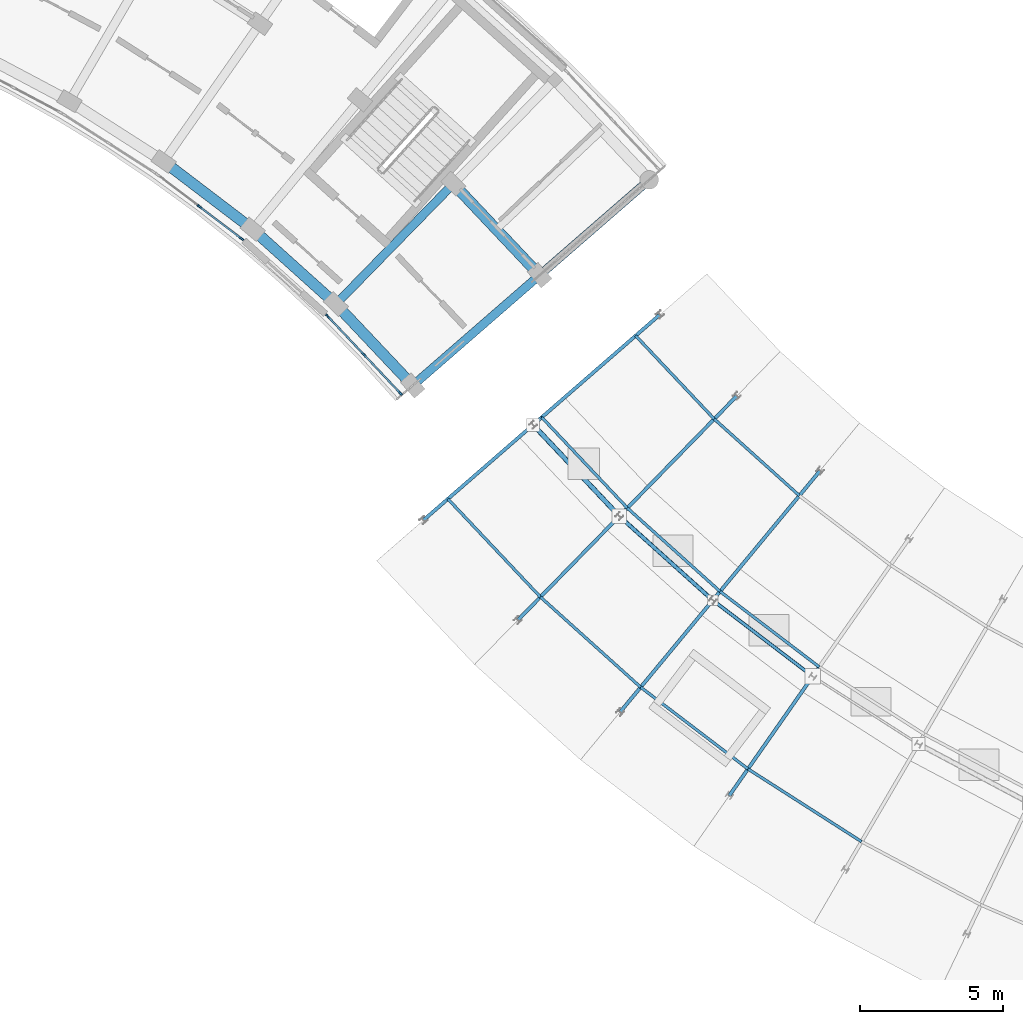
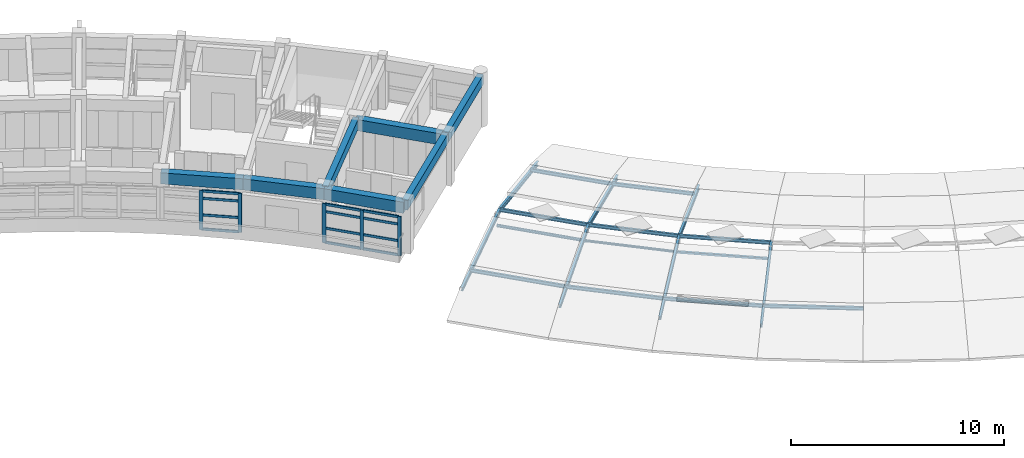
# One storey, part 15 of 40: 23 beams, 20 members, 2 elements without a shape of their own.
"""IFC4 building model written with IfcOpenShell, lengths in metres."""

from ifc_helpers import new_model, si_unit, direction, frame, origin, origin_2d, place, context, subcontext, project, spatial, rectangle, hollow_rectangle, hollow_circle, i_section, extrude, material, material_profile, profile_set, type_object, element, aggregate, save


model = new_model("IFC4")

# Units and contexts
model_context = context("Model", 3, precision=1e-05, world=origin(), true_north=direction((0.0, 1.0)))
body_context = subcontext(model_context, "Body", "Model", "MODEL_VIEW")
ifc_project = project(units=[si_unit("LENGTHUNIT", "METRE"), si_unit("AREAUNIT", "SQUARE_METRE"), si_unit("VOLUMEUNIT", "CUBIC_METRE"), si_unit("PLANEANGLEUNIT", "RADIAN"), si_unit("MASSUNIT", "GRAM", prefix="KILO")], contexts=[model_context])

# Site, building, storey
site_placement = place(None, origin())
site = spatial("IfcSite", under=ifc_project, at=site_placement, CompositionType="ELEMENT")
building_placement = place(site_placement, origin())
building = spatial("IfcBuilding", under=site, at=building_placement, Name="Zimvara Arc Housing Community", CompositionType="ELEMENT")
storey_placement = place(building_placement, frame((0.0, 0.0, 32.89990234375)))
storey = spatial("IfcBuildingStorey", under=building, at=storey_placement, Name="L10", CompositionType="ELEMENT", Elevation=32.89990234375)

# Beams
ifc_material_1 = material(Name="Concrete C40/50", Category="concrete")
ifc_material_profile_1 = material_profile(ifc_material_1, rectangle(XDim=0.300048828125, YDim=0.550048828125, at=origin_2d()), Name="RC 300x550")
ifc_profile_set_1 = profile_set([ifc_material_profile_1], Name="Concrete C40/50")
beam_type_1 = type_object("IfcBeamType", Name="BM-RC-300x550", PredefinedType="BEAM", material=ifc_profile_set_1)
for number, where, z_axis, x_axis, name in (
    (1, (78.47998046875, 78.784423828125, 2.585205078125), (0.698669844288, 0.715444231707, 0.0), (-0.715444231707, 0.698669844288, 0.0), "bm:blkB:L10:rad:b9:r12"),
    (2, (81.165771484375, 75.938232421875, 2.585205078125), (0.754692223258, 0.656078995362, 0.0), (-0.656078995362, 0.754692223258, 0.0), "bm:blkB:L10:rad:b10:r12"),
):
    element("IfcBeam", number, at=place(storey_placement, frame(where, z_axis=z_axis, x_axis=x_axis)), inside=storey, type_object=beam_type_1, Name=name, PredefinedType="BEAM", context=body_context, shape_type="SweptSolid", body=[
        extrude(rectangle(XDim=0.300048828125, YDim=0.550048828125, at=origin_2d()), origin(), (0.0, 0.0, 1.0), 5.8798828125),
    ])
beam_1_placement = place(storey_placement, frame((85.603271484375, 79.7958984375, 2.585205078125), z_axis=(0.754716217499, 0.656051393599, 0.0), x_axis=(-0.656051393599, 0.754716217499, 0.0)))
element("IfcBeam", 3, at=beam_1_placement, inside=storey, type_object=beam_type_1, Name="bm:blkB:L10:rad:b10:r23", PredefinedType="BEAM", context=body_context, shape_type="SweptSolid", body=[
    extrude(rectangle(XDim=0.300048828125, YDim=0.550048828125, at=origin_2d()), origin(), (0.0, 0.0, 1.0), 5.080078125),
])
ifc_material_2 = material(Name="Concrete C40/50", Category="concrete")
ifc_material_profile_2 = material_profile(ifc_material_2, rectangle(XDim=0.3798828125, YDim=0.639892578125, at=origin_2d()), Name="RC 380x640")
ifc_profile_set_2 = profile_set([ifc_material_profile_2], Name="Concrete C40/50")
beam_type_2 = type_object("IfcBeamType", Name="BM-RC-380x640", PredefinedType="BEAM", material=ifc_profile_set_2)
for number, where, z_axis, x_axis, name in (
    (4, (72.458251953125, 83.77294921875, 2.5400390625), (0.795470387579, -0.605992460749, 0.0), (0.605992460749, 0.795470387579, 0.0), "bm:blkB:L10:chord:r1:b7"),
    (5, (75.571044921875, 81.401611328125, 2.5400390625), (0.743402719516, -0.668844074965, 0.0), (0.668844074965, 0.743402719516, 0.0), "bm:blkB:L10:chord:r1:b8"),
):
    element("IfcBeam", number, at=place(storey_placement, frame(where, z_axis=z_axis, x_axis=x_axis)), inside=storey, type_object=beam_type_2, Name=name, PredefinedType="BEAM", context=body_context, shape_type="SweptSolid", body=[
        extrude(rectangle(XDim=0.3798828125, YDim=0.639892578125, at=origin_2d()), origin(), (0.0, 0.0, 1.0), 3.9130859375),
    ])
beam_2_placement = place(storey_placement, frame((78.47998046875, 78.784423828125, 2.5400390625), z_axis=(0.686315710793, -0.727303750243, 0.0), x_axis=(0.727303750243, 0.686315710793, 0.0)))
element("IfcBeam", 6, at=beam_2_placement, inside=storey, type_object=beam_type_2, Name="bm:blkB:L10:chord:r1:b9", PredefinedType="BEAM", context=body_context, shape_type="SweptSolid", body=[
    extrude(rectangle(XDim=0.3798828125, YDim=0.639892578125, at=origin_2d()), origin(), (0.0, 0.0, 1.0), 3.913330078125),
])
beam_3_placement = place(storey_placement, frame((82.588134765625, 82.9912109375, 2.5400390625), z_axis=(0.686303637813, -0.727315142648, 0.0), x_axis=(0.727315142648, 0.686303637813, 0.0)))
element("IfcBeam", 7, at=beam_3_placement, inside=storey, type_object=beam_type_2, Name="bm:blkB:L10:chord:r2:b9", PredefinedType="BEAM", context=body_context, shape_type="SweptSolid", body=[
    extrude(rectangle(XDim=0.3798828125, YDim=0.639892578125, at=origin_2d()), origin(), (0.0, 0.0, 1.0), 4.393310546875),
])
ifc_material_3 = material(Name="Steel S355", Category="steel")
ifc_material_profile_3 = material_profile(ifc_material_3, i_section(OverallWidth=0.10009765625, OverallDepth=0.199951171875, WebThickness=0.005615234375, FlangeThickness=0.008544921875, FilletRadius=0.011962890625, at=origin_2d()), Name="IPE 200")
ifc_profile_set_3 = profile_set([ifc_material_profile_3], Name="Steel S355")
beam_type_3 = type_object("IfcBeamType", Name="BM-ST-IPE200", PredefinedType="JOIST", material=ifc_profile_set_3)
beam_4_placement = place(storey_placement, frame((88.96142578125, 77.680419921875, 0.8251953125), z_axis=(0.68632994839, -0.727290314759, 0.0), x_axis=(0.727290314759, 0.68632994839, 0.0)))
element("IfcBeam", 8, at=beam_4_placement, inside=storey, type_object=beam_type_3, Name="bm:blkC:L10:p_in:b0", PredefinedType="JOIST", context=body_context, shape_type="SweptSolid", body=[
    extrude(i_section(OverallWidth=0.10009765625, OverallDepth=0.199951171875, WebThickness=0.005615234375, FlangeThickness=0.008544921875, FilletRadius=0.011962890625, at=origin_2d()), origin(), (0.0, 0.0, 1.0), 4.00537109375),
])
beam_5_placement = place(storey_placement, frame((85.678466796875, 74.826416015625, 1.4150390625), z_axis=(0.68634729199, -0.727273947545, 0.0), x_axis=(0.727273947545, 0.68634729199, 0.0)))
element("IfcBeam", 9, at=beam_5_placement, inside=storey, type_object=beam_type_3, Name="bm:blkC:L10:p_crb:b0", PredefinedType="JOIST", context=body_context, shape_type="SweptSolid", body=[
    extrude(i_section(OverallWidth=0.10009765625, OverallDepth=0.199951171875, WebThickness=0.005615234375, FlangeThickness=0.008544921875, FilletRadius=0.011962890625, at=origin_2d()), origin(), (0.0, 0.0, 1.0), 4.360595703125),
])
beam_6_placement = place(storey_placement, frame((82.3955078125, 71.97265625, 0.8251953125), z_axis=(0.686308797673, -0.727310273705, 0.0), x_axis=(0.727310273705, 0.686308797673, 0.0)))
element("IfcBeam", 10, at=beam_6_placement, inside=storey, type_object=beam_type_3, Name="bm:blkC:L10:p_out:b0", PredefinedType="JOIST", context=body_context, shape_type="SweptSolid", body=[
    extrude(i_section(OverallWidth=0.10009765625, OverallDepth=0.199951171875, WebThickness=0.005615234375, FlangeThickness=0.008544921875, FilletRadius=0.011962890625, at=origin_2d()), origin(), (0.0, 0.0, 1.0), 4.7158203125),
])
beam_7_placement = place(storey_placement, frame((91.71044921875, 74.767333984375, 0.8251953125), z_axis=(0.743366879788, -0.66888390774, 0.0), x_axis=(0.66888390774, 0.743366879788, 0.0)))
element("IfcBeam", 11, at=beam_7_placement, inside=storey, type_object=beam_type_3, Name="bm:blkC:L10:p_in:b1", PredefinedType="JOIST", context=body_context, shape_type="SweptSolid", body=[
    extrude(i_section(OverallWidth=0.10009765625, OverallDepth=0.199951171875, WebThickness=0.005615234375, FlangeThickness=0.008544921875, FilletRadius=0.011962890625, at=origin_2d()), origin(), (0.0, 0.0, 1.0), 4.00537109375),
])
beam_8_placement = place(storey_placement, frame((88.67138671875, 71.655029296875, 1.4150390625), z_axis=(0.743358173791, -0.668893583059, 0.0), x_axis=(0.668893583059, 0.743358173791, 0.0)))
element("IfcBeam", 12, at=beam_8_placement, inside=storey, type_object=beam_type_3, Name="bm:blkC:L10:p_crb:b1", PredefinedType="JOIST", context=body_context, shape_type="SweptSolid", body=[
    extrude(i_section(OverallWidth=0.10009765625, OverallDepth=0.199951171875, WebThickness=0.005615234375, FlangeThickness=0.008544921875, FilletRadius=0.011962890625, at=origin_2d()), origin(), (0.0, 0.0, 1.0), 4.360595703125),
])
beam_9_placement = place(storey_placement, frame((85.632080078125, 68.542724609375, 0.8251953125), z_axis=(0.743399684014, -0.668847448832, 0.0), x_axis=(0.668847448832, 0.743399684014, 0.0)))
element("IfcBeam", 13, at=beam_9_placement, inside=storey, type_object=beam_type_3, Name="bm:blkC:L10:p_out:b1", PredefinedType="JOIST", context=body_context, shape_type="SweptSolid", body=[
    extrude(i_section(OverallWidth=0.10009765625, OverallDepth=0.199951171875, WebThickness=0.005615234375, FlangeThickness=0.008544921875, FilletRadius=0.011962890625, at=origin_2d()), origin(), (0.0, 0.0, 1.0), 4.715576171875),
])
beam_10_placement = place(storey_placement, frame((91.912841796875, 68.73828125, 1.4150390625), z_axis=(0.79548955281, -0.605967302229, 0.0), x_axis=(0.605967302229, 0.79548955281, 0.0)))
element("IfcBeam", 14, at=beam_10_placement, inside=storey, type_object=beam_type_3, Name="bm:blkC:L10:p_crb:b2", PredefinedType="JOIST", context=body_context, shape_type="SweptSolid", body=[
    extrude(i_section(OverallWidth=0.10009765625, OverallDepth=0.199951171875, WebThickness=0.005615234375, FlangeThickness=0.008544921875, FilletRadius=0.011962890625, at=origin_2d()), origin(), (0.0, 0.0, 1.0), 4.360595703125),
])
for number, where, z_axis, x_axis, name in (
    (15, (89.1376953125, 65.388671875, 0.8251953125), (0.795448357485, -0.606021377984, 0.0), (0.606021377984, 0.795448357485, 0.0), "bm:blkC:L10:p_out:b2"),
    (16, (92.888916015625, 62.53076171875, 0.8251953125), (0.842275161588, -0.539047819931, 0.0), (0.539047819931, 0.842275161588, 0.0), "bm:blkC:L10:p_out:b3"),
):
    element("IfcBeam", number, at=place(storey_placement, frame(where, z_axis=z_axis, x_axis=x_axis)), inside=storey, type_object=beam_type_3, Name=name, PredefinedType="JOIST", context=body_context, shape_type="SweptSolid", body=[
        extrude(i_section(OverallWidth=0.10009765625, OverallDepth=0.199951171875, WebThickness=0.005615234375, FlangeThickness=0.008544921875, FilletRadius=0.011962890625, at=origin_2d()), origin(), (0.0, 0.0, 1.0), 4.7158203125),
    ])
ifc_material_4 = material(Name="Steel S355", Category="steel")
ifc_material_profile_4 = material_profile(ifc_material_4, i_section(OverallWidth=0.1201171875, OverallDepth=0.239990234375, WebThickness=0.006103515625, FlangeThickness=0.009765625, FilletRadius=0.014892578125, at=origin_2d()), Name="IPE 240")
ifc_profile_set_4 = profile_set([ifc_material_profile_4], Name="Steel S355")
beam_type_4 = type_object("IfcBeamType", Name="BM-ST-IPE240", PredefinedType="JOIST", material=ifc_profile_set_4)
for number, where, z_axis, x_axis, name in (
    (17, (89.814208984375, 78.421630859375, 0.462646484375), (-0.744011194202, -0.646771478502, 0.167731921526), (0.656066201767, -0.754703344963, 0.0), "bm:blkC:L10:rf_in:g0"),
    (18, (85.678466796875, 74.826416015625, 1.39501953125), (-0.744011194202, -0.646771478502, -0.167731921526), (0.656066201767, -0.754703344963, 0.0), "bm:blkC:L10:rf_out:g0"),
    (19, (92.5, 75.57568359375, 0.462646484375), (-0.688760735142, -0.705318750519, 0.167732256568), (0.715454895317, -0.698658924488, 0.0), "bm:blkC:L10:rf_in:g1"),
):
    element("IfcBeam", number, at=place(storey_placement, frame(where, z_axis=z_axis, x_axis=x_axis)), inside=storey, type_object=beam_type_4, Name=name, PredefinedType="JOIST", context=body_context, shape_type="SweptSolid", body=[
        extrude(i_section(OverallWidth=0.1201171875, OverallDepth=0.239990234375, WebThickness=0.006103515625, FlangeThickness=0.009765625, FilletRadius=0.014892578125, at=origin_2d()), origin(), (0.0, 0.0, 1.0), 5.55859375),
    ])
for number, where, z_axis, x_axis, name in (
    (20, (88.67138671875, 71.655029296875, 1.39501953125), (-0.688783819071, -0.705297414427, -0.16772718262), (0.715432626107, -0.698681728329, 0.0), "bm:blkC:L10:rf_out:g1"),
    (21, (95.408935546875, 72.958251953125, 0.462646484375), (-0.628930737201, -0.759152778807, 0.167729503168), (0.770062207182, -0.637968805719, 0.0), "bm:blkC:L10:rf_in:g2"),
    (22, (91.912841796875, 68.73828125, 1.39501953125), (-0.628930737201, -0.759152778807, -0.167729503168), (0.770062207182, -0.637968805719, 0.0), "bm:blkC:L10:rf_out:g2"),
    (23, (95.381591796875, 66.095947265625, 1.39501953125), (-0.564890173919, -0.807939639201, -0.167727847473), (0.819549926471, -0.573007781815, 0.0), "bm:blkC:L10:rf_out:g3"),
):
    element("IfcBeam", number, at=place(storey_placement, frame(where, z_axis=z_axis, x_axis=x_axis)), inside=storey, type_object=beam_type_4, Name=name, PredefinedType="JOIST", context=body_context, shape_type="SweptSolid", body=[
        extrude(i_section(OverallWidth=0.1201171875, OverallDepth=0.239990234375, WebThickness=0.006103515625, FlangeThickness=0.009765625, FilletRadius=0.014892578125, at=origin_2d()), origin(), (0.0, 0.0, 1.0), 5.558837890625),
    ])

# Curtain wall, members
ifc_material_5 = material(Name="Anodised Aluminium AW-6063", Category="aluminium")
curtain_wall_type_1 = type_object("IfcCurtainWallType", Name="CW-SYS-02", PredefinedType="USERDEFINED", material=ifc_material_5)
curtain_wall_1_placement = place(storey_placement, origin())
curtain_wall_1 = element("IfcCurtainWall", 24, at=curtain_wall_1_placement, inside=storey, type_object=curtain_wall_type_1, Name="cw:blkB:L10:in:b7", ObjectType="CURTAIN WALL", PredefinedType="USERDEFINED")
ifc_material_6 = material(Name="Anodised Aluminium AW-6063", Category="aluminium")
ifc_material_profile_5 = material_profile(ifc_material_6, rectangle(XDim=0.06494140625, YDim=0.179931640625, at=origin_2d()), Name="ALU 65x180")
ifc_profile_set_5 = profile_set([ifc_material_profile_5], Name="Anodised Aluminium AW-6063")
member_type_1 = type_object("IfcMemberType", Name="CWM-65x150", PredefinedType="MULLION", material=ifc_profile_set_5)
member_1_placement = place(storey_placement, frame((73.7119140625, 82.18994140625, 0.0), z_axis=(0.0, 0.0, 1.0), x_axis=(0.605987809503, 0.795473930895, 0.0)))
member_1 = element("IfcMember", 25, at=member_1_placement, type_object=member_type_1, Name="CW02 mullion 2", PredefinedType="MULLION", context=body_context, shape_type="SweptSolid", body=[
    extrude(rectangle(XDim=0.06494140625, YDim=0.179931640625, at=origin_2d()), origin(), (0.0, 0.0, 1.0), 2.25),
])
member_2_placement = place(storey_placement, frame((75.178466796875, 81.07275390625, 0.0), z_axis=(0.0, 0.0, 1.0), x_axis=(0.605987809503, 0.795473930895, 0.0)))
member_2 = element("IfcMember", 26, at=member_2_placement, type_object=member_type_1, Name="CW02 mullion 3", PredefinedType="MULLION", context=body_context, shape_type="SweptSolid", body=[
    extrude(rectangle(XDim=0.06494140625, YDim=0.179931640625, at=origin_2d()), origin(), (0.0, 0.0, 1.0), 2.25),
])

ifc_material_7 = material(Name="Anodised Aluminium AW-6063", Category="aluminium")
curtain_wall_type_2 = type_object("IfcCurtainWallType", Name="CW-SYS-04", PredefinedType="USERDEFINED", material=ifc_material_7)
curtain_wall_2_placement = place(storey_placement, origin())
curtain_wall_2 = element("IfcCurtainWall", 27, at=curtain_wall_2_placement, inside=storey, type_object=curtain_wall_type_2, Name="cw:blkB:L10:in:b9", ObjectType="CURTAIN WALL", PredefinedType="USERDEFINED")
member_3_placement = place(storey_placement, frame((78.194091796875, 78.359375, 0.0), z_axis=(0.0, 0.0, 1.0), x_axis=(0.727293723669, 0.686326336018, 0.0)))
member_3 = element("IfcMember", 28, at=member_3_placement, type_object=member_type_1, Name="CW04 mullion 1", PredefinedType="MULLION", context=body_context, shape_type="SweptSolid", body=[
    extrude(rectangle(XDim=0.06494140625, YDim=0.179931640625, at=origin_2d()), origin(), (0.0, 0.0, 1.0), 2.25),
])
member_4_placement = place(storey_placement, frame((79.45947265625, 77.0185546875, 0.0), z_axis=(0.0, 0.0, 1.0), x_axis=(0.727293723669, 0.686326336018, 0.0)))
member_4 = element("IfcMember", 29, at=member_4_placement, type_object=member_type_1, Name="CW04 mullion 2", PredefinedType="MULLION", context=body_context, shape_type="SweptSolid", body=[
    extrude(rectangle(XDim=0.06494140625, YDim=0.179931640625, at=origin_2d()), origin(), (0.0, 0.0, 1.0), 2.25),
])
member_5_placement = place(storey_placement, frame((80.724853515625, 75.677490234375, 0.0), z_axis=(0.0, 0.0, 1.0), x_axis=(0.727293723669, 0.686326336018, 0.0)))
member_5 = element("IfcMember", 30, at=member_5_placement, type_object=member_type_1, Name="CW04 mullion 3", PredefinedType="MULLION", context=body_context, shape_type="SweptSolid", body=[
    extrude(rectangle(XDim=0.06494140625, YDim=0.179931640625, at=origin_2d()), origin(), (0.0, 0.0, 1.0), 2.25),
])

# Member
ifc_material_8 = material(Name="Anodised Aluminium AW-6063", Category="aluminium")
ifc_material_profile_6 = material_profile(ifc_material_8, rectangle(XDim=0.06494140625, YDim=0.139892578125, at=origin_2d()), Name="ALU 65x140")
ifc_profile_set_6 = profile_set([ifc_material_profile_6], Name="Anodised Aluminium AW-6063")
member_type_2 = type_object("IfcMemberType", Name="CWT-65x120", PredefinedType="USERDEFINED", material=ifc_profile_set_6)
member_6_placement = place(storey_placement, frame((73.73779296875, 82.170166015625, 0.03271484375), z_axis=(0.795497878591, -0.605956372322, 0.0), x_axis=(0.605956372322, 0.795497878591, 0.0)))
member_6 = element("IfcMember", 31, at=member_6_placement, type_object=member_type_2, Name="CW02 transom 2.1", ObjectType="TRANSOM", PredefinedType="USERDEFINED", context=body_context, shape_type="SweptSolid", body=[
    extrude(rectangle(XDim=0.06494140625, YDim=0.139892578125, at=origin_2d()), origin(), (0.0, 0.0, 1.0), 1.77880859375),
])

member_7_placement = place(storey_placement, frame((73.73779296875, 82.170166015625, 0.85009765625), z_axis=(0.795497878591, -0.605956372322, 0.0), x_axis=(0.605956372322, 0.795497878591, 0.0)))
member_7 = element("IfcMember", 32, at=member_7_placement, type_object=member_type_2, Name="CW02 transom 2.2", ObjectType="TRANSOM", PredefinedType="USERDEFINED", context=body_context, shape_type="SweptSolid", body=[
    extrude(rectangle(XDim=0.06494140625, YDim=0.139892578125, at=origin_2d()), origin(), (0.0, 0.0, 1.0), 1.77880859375),
])

member_8_placement = place(storey_placement, frame((73.73779296875, 82.170166015625, 1.800048828125), z_axis=(0.795497878591, -0.605956372322, 0.0), x_axis=(0.605956372322, 0.795497878591, 0.0)))
member_8 = element("IfcMember", 33, at=member_8_placement, type_object=member_type_2, Name="CW02 transom 2.3", ObjectType="TRANSOM", PredefinedType="USERDEFINED", context=body_context, shape_type="SweptSolid", body=[
    extrude(rectangle(XDim=0.06494140625, YDim=0.139892578125, at=origin_2d()), origin(), (0.0, 0.0, 1.0), 1.77880859375),
])

member_9_placement = place(storey_placement, frame((73.73779296875, 82.170166015625, 2.217529296875), z_axis=(0.795497878591, -0.605956372322, 0.0), x_axis=(0.605956372322, 0.795497878591, 0.0)))
member_9 = element("IfcMember", 34, at=member_9_placement, type_object=member_type_2, Name="CW02 transom 2.4", ObjectType="TRANSOM", PredefinedType="USERDEFINED", context=body_context, shape_type="SweptSolid", body=[
    extrude(rectangle(XDim=0.06494140625, YDim=0.139892578125, at=origin_2d()), origin(), (0.0, 0.0, 1.0), 1.77880859375),
])

aggregate(curtain_wall_1, [member_1, member_2, member_6, member_7, member_8, member_9])

member_10_placement = place(storey_placement, frame((78.216552734375, 78.335693359375, 0.03271484375), z_axis=(0.686288936403, -0.7273290148, 0.0), x_axis=(0.7273290148, 0.686288936403, 0.0)))
member_10 = element("IfcMember", 35, at=member_10_placement, type_object=member_type_2, Name="CW04 transom 1.1", ObjectType="TRANSOM", PredefinedType="USERDEFINED", context=body_context, shape_type="SweptSolid", body=[
    extrude(rectangle(XDim=0.06494140625, YDim=0.139892578125, at=origin_2d()), origin(), (0.0, 0.0, 1.0), 1.77880859375),
])

member_11_placement = place(storey_placement, frame((78.216552734375, 78.335693359375, 0.85009765625), z_axis=(0.686288936403, -0.7273290148, 0.0), x_axis=(0.7273290148, 0.686288936403, 0.0)))
member_11 = element("IfcMember", 36, at=member_11_placement, type_object=member_type_2, Name="CW04 transom 1.2", ObjectType="TRANSOM", PredefinedType="USERDEFINED", context=body_context, shape_type="SweptSolid", body=[
    extrude(rectangle(XDim=0.06494140625, YDim=0.139892578125, at=origin_2d()), origin(), (0.0, 0.0, 1.0), 1.77880859375),
])

member_12_placement = place(storey_placement, frame((78.216552734375, 78.335693359375, 1.800048828125), z_axis=(0.686288936403, -0.7273290148, 0.0), x_axis=(0.7273290148, 0.686288936403, 0.0)))
member_12 = element("IfcMember", 37, at=member_12_placement, type_object=member_type_2, Name="CW04 transom 1.3", ObjectType="TRANSOM", PredefinedType="USERDEFINED", context=body_context, shape_type="SweptSolid", body=[
    extrude(rectangle(XDim=0.06494140625, YDim=0.139892578125, at=origin_2d()), origin(), (0.0, 0.0, 1.0), 1.77880859375),
])

member_13_placement = place(storey_placement, frame((78.216552734375, 78.335693359375, 2.217529296875), z_axis=(0.686288936403, -0.7273290148, 0.0), x_axis=(0.7273290148, 0.686288936403, 0.0)))
member_13 = element("IfcMember", 38, at=member_13_placement, type_object=member_type_2, Name="CW04 transom 1.4", ObjectType="TRANSOM", PredefinedType="USERDEFINED", context=body_context, shape_type="SweptSolid", body=[
    extrude(rectangle(XDim=0.06494140625, YDim=0.139892578125, at=origin_2d()), origin(), (0.0, 0.0, 1.0), 1.77880859375),
])

member_14_placement = place(storey_placement, frame((79.48193359375, 76.994873046875, 0.03271484375), z_axis=(0.686288936403, -0.7273290148, 0.0), x_axis=(0.7273290148, 0.686288936403, 0.0)))
member_14 = element("IfcMember", 39, at=member_14_placement, type_object=member_type_2, Name="CW04 transom 2.1", ObjectType="TRANSOM", PredefinedType="USERDEFINED", context=body_context, shape_type="SweptSolid", body=[
    extrude(rectangle(XDim=0.06494140625, YDim=0.139892578125, at=origin_2d()), origin(), (0.0, 0.0, 1.0), 1.77880859375),
])

member_15_placement = place(storey_placement, frame((79.48193359375, 76.994873046875, 0.85009765625), z_axis=(0.686288936403, -0.7273290148, 0.0), x_axis=(0.7273290148, 0.686288936403, 0.0)))
member_15 = element("IfcMember", 40, at=member_15_placement, type_object=member_type_2, Name="CW04 transom 2.2", ObjectType="TRANSOM", PredefinedType="USERDEFINED", context=body_context, shape_type="SweptSolid", body=[
    extrude(rectangle(XDim=0.06494140625, YDim=0.139892578125, at=origin_2d()), origin(), (0.0, 0.0, 1.0), 1.77880859375),
])

member_16_placement = place(storey_placement, frame((79.48193359375, 76.994873046875, 1.800048828125), z_axis=(0.686288936403, -0.7273290148, 0.0), x_axis=(0.7273290148, 0.686288936403, 0.0)))
member_16 = element("IfcMember", 41, at=member_16_placement, type_object=member_type_2, Name="CW04 transom 2.3", ObjectType="TRANSOM", PredefinedType="USERDEFINED", context=body_context, shape_type="SweptSolid", body=[
    extrude(rectangle(XDim=0.06494140625, YDim=0.139892578125, at=origin_2d()), origin(), (0.0, 0.0, 1.0), 1.77880859375),
])

member_17_placement = place(storey_placement, frame((79.48193359375, 76.994873046875, 2.217529296875), z_axis=(0.686288936403, -0.7273290148, 0.0), x_axis=(0.7273290148, 0.686288936403, 0.0)))
member_17 = element("IfcMember", 42, at=member_17_placement, type_object=member_type_2, Name="CW04 transom 2.4", ObjectType="TRANSOM", PredefinedType="USERDEFINED", context=body_context, shape_type="SweptSolid", body=[
    extrude(rectangle(XDim=0.06494140625, YDim=0.139892578125, at=origin_2d()), origin(), (0.0, 0.0, 1.0), 1.77880859375),
])

aggregate(curtain_wall_2, [member_3, member_4, member_5, member_10, member_11, member_12, member_13, member_14, member_15, member_16, member_17])

# Members
ifc_material_9 = material(Name="Steel S355", Category="steel")
ifc_material_profile_7 = material_profile(ifc_material_9, hollow_rectangle(XDim=0.1201171875, YDim=0.1201171875, WallThickness=0.00634765625, InnerFilletRadius=0.00634765625, OuterFilletRadius=0.0126953125, at=origin_2d()), Name="SHS 120x120x6.3")
ifc_profile_set_7 = profile_set([ifc_material_profile_7], Name="Steel S355")
member_type_3 = type_object("IfcMemberType", Name="MB-BRACE-SHS120", PredefinedType="BRACE", material=ifc_profile_set_7)
member_18_placement = place(storey_placement, frame((91.65771484375, 68.430419921875, 0.77001953125), z_axis=(0.795455957349, -0.606011402465, 0.0), x_axis=(0.606011402465, 0.795455957349, 0.0)))
element("IfcMember", 43, at=member_18_placement, inside=storey, type_object=member_type_3, Name="mb:blkC:L10:brace:b2", PredefinedType="BRACE", context=body_context, shape_type="SweptSolid", body=[
    extrude(hollow_rectangle(XDim=0.1201171875, YDim=0.1201171875, WallThickness=0.00634765625, InnerFilletRadius=0.00634765625, OuterFilletRadius=0.0126953125, at=origin_2d()), origin(), (0.0, 0.0, 1.0), 4.393310546875),
])
ifc_material_10 = material(Name="Steel S355", Category="steel")
ifc_material_profile_8 = material_profile(ifc_material_10, hollow_circle(Radius=0.06982421875, WallThickness=0.00634765625, at=origin_2d()), Name="CHS 139.7x6.3")
ifc_profile_set_8 = profile_set([ifc_material_profile_8], Name="Steel S355")
member_type_4 = type_object("IfcMemberType", Name="MB-STRUT-CHS140", PredefinedType="STRUT", material=ifc_profile_set_8)
member_19_placement = place(storey_placement, frame((88.391845703125, 71.368896484375, 0.77001953125), z_axis=(0.743385326385, -0.668863406471, 0.0), x_axis=(0.668863406471, 0.743385326385, 0.0)))
element("IfcMember", 44, at=member_19_placement, inside=storey, type_object=member_type_4, Name="mb:blkC:L10:brace:b1", PredefinedType="STRUT", context=body_context, shape_type="SweptSolid", body=[
    extrude(hollow_circle(Radius=0.06982421875, WallThickness=0.00634765625, at=origin_2d()), origin(), (0.0, 0.0, 1.0), 4.393310546875),
])
ifc_material_11 = material(Name="Steel S355", Category="steel")
ifc_material_profile_9 = material_profile(ifc_material_11, hollow_circle(Radius=0.084228515625, WallThickness=0.008056640625, at=origin_2d()), Name="CHS 168.3x8.0")
ifc_profile_set_9 = profile_set([ifc_material_profile_9], Name="Steel S355")
member_type_5 = type_object("IfcMemberType", Name="MB-STRUT-CHS168", PredefinedType="STRUT", material=ifc_profile_set_9)
member_20_placement = place(storey_placement, frame((85.376708984375, 74.56396484375, 0.77001953125), z_axis=(0.686331377274, -0.727288966347, 0.0), x_axis=(0.727288966347, 0.686331377274, 0.0)))
element("IfcMember", 45, at=member_20_placement, inside=storey, type_object=member_type_5, Name="mb:blkC:L10:brace:b0", PredefinedType="STRUT", context=body_context, shape_type="SweptSolid", body=[
    extrude(hollow_circle(Radius=0.084228515625, WallThickness=0.008056640625, at=origin_2d()), origin(), (0.0, 0.0, 1.0), 4.39306640625),
])

save(model, "model.ifc")
